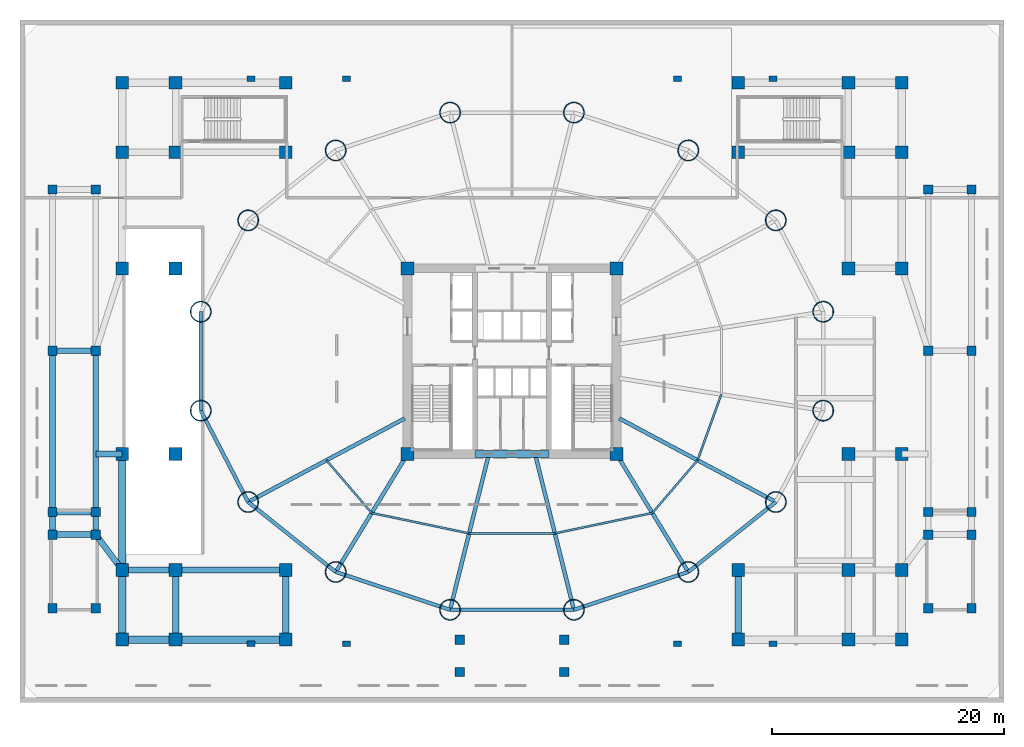
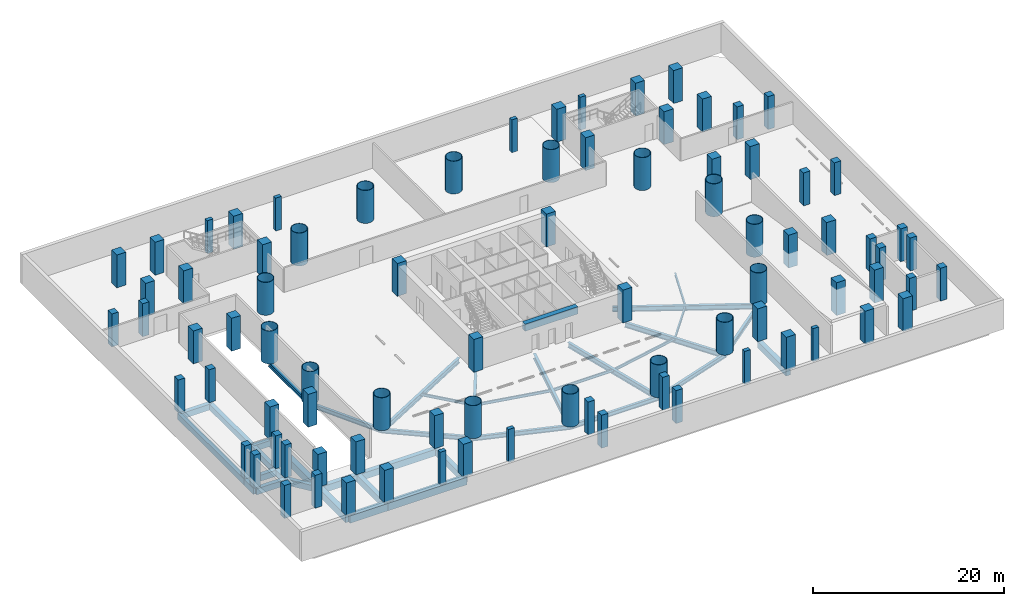
# One storey, part 1 of 11: 84 columns, 38 beams.
"""IFC4 building model written with IfcOpenShell, lengths in metres."""

from ifc_helpers import new_model, si_unit, direction, frame, origin, origin_2d, place, context, subcontext, project, spatial, rectangle, hollow_circle, i_section, extrude, material, material_profile, profile_set, type_object, element, save


model = new_model("IFC4")

# Units and contexts
model_context = context("Model", 3, precision=1e-05, world=origin(), true_north=direction((-0.2419218956, 0.970295726276)))
body_context = subcontext(model_context, "Body", "Model", "MODEL_VIEW")
ifc_project = project(units=[si_unit("LENGTHUNIT", "METRE"), si_unit("AREAUNIT", "SQUARE_METRE"), si_unit("VOLUMEUNIT", "CUBIC_METRE"), si_unit("PLANEANGLEUNIT", "RADIAN"), si_unit("MASSUNIT", "GRAM", prefix="KILO")], contexts=[model_context])

# Site, building, storey
site_placement = place(None, origin())
site = spatial("IfcSite", under=ifc_project, at=site_placement, CompositionType="ELEMENT")
building_placement = place(site_placement, origin())
building = spatial("IfcBuilding", under=site, at=building_placement, Name="Cobrevalo Terracotta Tower", CompositionType="ELEMENT")
storey_placement = place(building_placement, frame((0.0, 0.0, -4.199951171875)))
storey = spatial("IfcBuildingStorey", under=building, at=storey_placement, Name="B01", CompositionType="ELEMENT", Elevation=-4.199951171875)

# Columns
ifc_material_1 = material(Name="Steel S355", Category="steel")
ifc_material_profile_1 = material_profile(ifc_material_1, hollow_circle(Radius=0.89990234375, WallThickness=0.054931640625, at=origin_2d()), Name="CHS 1800x55")
ifc_profile_set_1 = profile_set([ifc_material_profile_1], Name="Steel S355")
column_type_1 = type_object("IfcColumnType", Name="Structural Column CHS 1800x55 (Steel S355)", PredefinedType="COLUMN", material=ifc_profile_set_1)
for number, where, z_axis, x_axis, name in (
    (1, (64.824462890625, 31.062744140625, 0.0), (0.0, 0.0, 1.0), (1.0, 0.0, 0.0), "B01 composite megacolumn MC01"),
    (2, (60.74072265625, 38.939208984375, 0.0), (0.0, 0.0, 1.0), (1.0, 0.0, 0.0), "B01 composite megacolumn MC02"),
    (3, (53.19482421875, 44.967529296875, 0.0), (0.0, 0.0, 1.0), (1.0, 0.0, 0.0), "B01 composite megacolumn MC03"),
    (4, (43.335693359375, 48.230224609375, 0.0), (0.0, 0.0, 1.0), (1.0, 0.0, 0.0), "B01 composite megacolumn MC04"),
    (5, (32.664306640625, 48.230224609375, 0.0), (0.0, 0.0, 1.0), (1.0, 0.0, 0.0), "B01 composite megacolumn MC05"),
    (6, (22.80517578125, 44.967529296875, 0.0), (0.0, 0.0, 1.0), (1.0, 0.0, 0.0), "B01 composite megacolumn MC06"),
    (7, (15.25927734375, 38.939208984375, 0.0), (0.0, 0.0, 1.0), (1.0, 0.0, 0.0), "B01 composite megacolumn MC07"),
    (8, (11.175537109375, 31.062744140625, 0.0), (0.0, 0.0, 1.0), (1.0, 0.0, 0.0), "B01 composite megacolumn MC08"),
    (9, (11.175537109375, 22.537353515625, 0.0), (0.0, 0.0, 1.0), (1.0, 0.0, 0.0), "B01 composite megacolumn MC09"),
    (10, (15.25927734375, 14.660888671875, 0.0), (0.0, 0.0, 1.0), (1.0, 0.0, 0.0), "B01 composite megacolumn MC10"),
    (11, (22.80517578125, 8.63232421875, 0.0), (0.0, 0.0, 1.0), (1.0, 0.0, 0.0), "B01 composite megacolumn MC11"),
    (12, (32.664306640625, 5.369873046875, 0.0), (0.0, 0.0, 1.0), (1.0, 0.0, 0.0), "B01 composite megacolumn MC12"),
    (13, (43.335693359375, 5.369873046875, 0.0), (0.0, 0.0, 1.0), (1.0, 0.0, 0.0), "B01 composite megacolumn MC13"),
    (14, (53.19482421875, 8.63232421875, 0.0), (0.0, 0.0, 1.0), (1.0, 0.0, 0.0), "B01 composite megacolumn MC14"),
    (15, (60.74072265625, 14.660888671875, 0.0), (0.0, 0.0, 1.0), (1.0, 0.0, 0.0), "B01 composite megacolumn MC15"),
    (16, (64.824462890625, 22.537353515625, 0.0), (0.0, 0.0, 1.0), (1.0, 0.0, 0.0), "B01 composite megacolumn MC16"),
):
    element("IfcColumn", number, at=place(storey_placement, frame(where, z_axis=z_axis, x_axis=x_axis)), inside=storey, type_object=column_type_1, Name=name, PredefinedType="COLUMN", context=body_context, shape_type="SweptSolid", body=[
        extrude(hollow_circle(Radius=0.89990234375, WallThickness=0.054931640625, at=origin_2d()), origin(), (0.0, 0.0, 1.0), 4.199951171875),
    ])
ifc_material_2 = material(Name="Concrete C60", Category="concrete")
ifc_material_profile_2 = material_profile(ifc_material_2, rectangle(XDim=1.10009765625, YDim=1.10009765625, at=origin_2d()), Name="RC COL 1100x1100")
ifc_profile_set_2 = profile_set([ifc_material_profile_2], Name="Concrete C60")
column_type_2 = type_object("IfcColumnType", Name="Structural Column RC COL 1100x1100 (Concrete C60)", PredefinedType="COLUMN", material=ifc_profile_set_2)
for number, where, z_axis, x_axis, name in (
    (17, (29.0, 18.800048828125, 0.0), (0.0, 0.0, 1.0), (1.0, 0.0, 0.0), "B01 core corner column CC1"),
    (18, (47.0, 18.800048828125, 0.0), (0.0, 0.0, 1.0), (1.0, 0.0, 0.0), "B01 core corner column CC2"),
    (19, (47.0, 34.800048828125, 0.0), (0.0, 0.0, 1.0), (1.0, 0.0, 0.0), "B01 core corner column CC3"),
    (20, (29.0, 34.800048828125, 0.0), (0.0, 0.0, 1.0), (1.0, 0.0, 0.0), "B01 core corner column CC4"),
    (21, (4.39990234375, 2.800048828125, 0.0), (0.0, 0.0, 1.0), (1.0, 0.0, 0.0), "B01 podium column G1-GA"),
    (22, (4.39990234375, 8.800048828125, 0.0), (0.0, 0.0, 1.0), (1.0, 0.0, 0.0), "B01 podium column G1-GB"),
    (23, (4.39990234375, 18.800048828125, 0.0), (0.0, 0.0, 1.0), (1.0, 0.0, 0.0), "B01 podium column G1-GC"),
    (24, (4.39990234375, 34.800048828125, 0.0), (0.0, 0.0, 1.0), (1.0, 0.0, 0.0), "B01 podium column G1-GE"),
    (25, (4.39990234375, 44.800048828125, 0.0), (0.0, 0.0, 1.0), (1.0, 0.0, 0.0), "B01 podium column G1-GF"),
    (26, (4.39990234375, 50.800048828125, 0.0), (0.0, 0.0, 1.0), (1.0, 0.0, 0.0), "B01 podium column G1-GG"),
    (27, (9.0, 2.800048828125, 0.0), (0.0, 0.0, 1.0), (1.0, 0.0, 0.0), "B01 podium column G2-GA"),
    (28, (9.0, 8.800048828125, 0.0), (0.0, 0.0, 1.0), (1.0, 0.0, 0.0), "B01 podium column G2-GB"),
    (29, (9.0, 18.800048828125, 0.0), (0.0, 0.0, 1.0), (1.0, 0.0, 0.0), "B01 podium column G2-GC"),
    (30, (9.0, 34.800048828125, 0.0), (0.0, 0.0, 1.0), (1.0, 0.0, 0.0), "B01 podium column G2-GE"),
    (31, (9.0, 44.800048828125, 0.0), (0.0, 0.0, 1.0), (1.0, 0.0, 0.0), "B01 podium column G2-GF"),
    (32, (9.0, 50.800048828125, 0.0), (0.0, 0.0, 1.0), (1.0, 0.0, 0.0), "B01 podium column G2-GG"),
    (33, (18.5, 2.800048828125, 0.0), (0.0, 0.0, 1.0), (1.0, 0.0, 0.0), "B01 podium column G3-GA"),
    (34, (18.5, 8.800048828125, 0.0), (0.0, 0.0, 1.0), (1.0, 0.0, 0.0), "B01 podium column G3-GB"),
    (35, (18.5, 44.800048828125, 0.0), (0.0, 0.0, 1.0), (1.0, 0.0, 0.0), "B01 podium column G3-GF"),
    (36, (18.5, 50.800048828125, 0.0), (0.0, 0.0, 1.0), (1.0, 0.0, 0.0), "B01 podium column G3-GG"),
    (37, (57.5, 2.800048828125, 0.0), (0.0, 0.0, 1.0), (1.0, 0.0, 0.0), "B01 podium column G7-GA"),
    (38, (57.5, 8.800048828125, 0.0), (0.0, 0.0, 1.0), (1.0, 0.0, 0.0), "B01 podium column G7-GB"),
    (39, (57.5, 44.800048828125, 0.0), (0.0, 0.0, 1.0), (1.0, 0.0, 0.0), "B01 podium column G7-GF"),
    (40, (57.5, 50.800048828125, 0.0), (0.0, 0.0, 1.0), (1.0, 0.0, 0.0), "B01 podium column G7-GG"),
    (41, (67.0, 2.800048828125, 0.0), (0.0, 0.0, 1.0), (1.0, 0.0, 0.0), "B01 podium column G8-GA"),
    (42, (67.0, 8.800048828125, 0.0), (0.0, 0.0, 1.0), (1.0, 0.0, 0.0), "B01 podium column G8-GB"),
    (43, (67.0, 18.800048828125, 0.0), (0.0, 0.0, 1.0), (1.0, 0.0, 0.0), "B01 podium column G8-GC"),
    (44, (67.0, 34.800048828125, 0.0), (0.0, 0.0, 1.0), (1.0, 0.0, 0.0), "B01 podium column G8-GE"),
    (45, (67.0, 44.800048828125, 0.0), (0.0, 0.0, 1.0), (1.0, 0.0, 0.0), "B01 podium column G8-GF"),
    (46, (67.0, 50.800048828125, 0.0), (0.0, 0.0, 1.0), (1.0, 0.0, 0.0), "B01 podium column G8-GG"),
    (47, (71.60009765625, 2.800048828125, 0.0), (0.0, 0.0, 1.0), (1.0, 0.0, 0.0), "B01 podium column G9-GA"),
    (48, (71.60009765625, 8.800048828125, 0.0), (0.0, 0.0, 1.0), (1.0, 0.0, 0.0), "B01 podium column G9-GB"),
    (49, (71.60009765625, 18.800048828125, 0.0), (0.0, 0.0, 1.0), (1.0, 0.0, 0.0), "B01 podium column G9-GC"),
    (50, (71.60009765625, 34.800048828125, 0.0), (0.0, 0.0, 1.0), (1.0, 0.0, 0.0), "B01 podium column G9-GE"),
    (51, (71.60009765625, 44.800048828125, 0.0), (0.0, 0.0, 1.0), (1.0, 0.0, 0.0), "B01 podium column G9-GF"),
    (52, (71.60009765625, 50.800048828125, 0.0), (0.0, 0.0, 1.0), (1.0, 0.0, 0.0), "B01 podium column G9-GG"),
):
    element("IfcColumn", number, at=place(storey_placement, frame(where, z_axis=z_axis, x_axis=x_axis)), inside=storey, type_object=column_type_2, Name=name, PredefinedType="COLUMN", context=body_context, shape_type="SweptSolid", body=[
        extrude(rectangle(XDim=1.10009765625, YDim=1.10009765625, at=origin_2d()), origin(), (0.0, 0.0, 1.0), 4.199951171875),
    ])
ifc_material_3 = material(Name="Concrete C50", Category="concrete")
ifc_material_profile_3 = material_profile(ifc_material_3, rectangle(XDim=0.800048828125, YDim=0.800048828125, at=origin_2d()), Name="RC COL 800x800")
ifc_profile_set_3 = profile_set([ifc_material_profile_3], Name="Concrete C50")
column_type_3 = type_object("IfcColumnType", Name="Structural Column RC COL 800x800 (Concrete C50)", PredefinedType="COLUMN", material=ifc_profile_set_3)
for number, where, z_axis, x_axis, name in (
    (53, (-1.60009765625, 5.5, 0.0), (0.0, 0.0, 1.0), (1.0, 0.0, 0.0), "B01 garden wing column W11"),
    (54, (2.1201171875, 5.5, 0.0), (0.0, 0.0, 1.0), (1.0, 0.0, 0.0), "B01 garden wing column W21"),
    (55, (-1.60009765625, 11.85009765625, 0.0), (0.0, 0.0, 1.0), (1.0, 0.0, 0.0), "B01 garden wing column W12"),
    (56, (2.1201171875, 11.85009765625, 0.0), (0.0, 0.0, 1.0), (1.0, 0.0, 0.0), "B01 garden wing column W22"),
    (57, (-1.60009765625, 13.800048828125, 0.0), (0.0, 0.0, 1.0), (1.0, 0.0, 0.0), "B01 garden wing column W13"),
    (58, (2.1201171875, 13.800048828125, 0.0), (0.0, 0.0, 1.0), (1.0, 0.0, 0.0), "B01 garden wing column W23"),
    (59, (-1.60009765625, 27.699951171875, 0.0), (0.0, 0.0, 1.0), (1.0, 0.0, 0.0), "B01 garden wing column W14"),
    (60, (2.1201171875, 27.699951171875, 0.0), (0.0, 0.0, 1.0), (1.0, 0.0, 0.0), "B01 garden wing column W24"),
    (61, (-1.60009765625, 41.60009765625, 0.0), (0.0, 0.0, 1.0), (1.0, 0.0, 0.0), "B01 garden wing column W15"),
    (62, (2.1201171875, 41.60009765625, 0.0), (0.0, 0.0, 1.0), (1.0, 0.0, 0.0), "B01 garden wing column W25"),
    (63, (73.8798828125, 5.5, 0.0), (0.0, 0.0, 1.0), (1.0, 0.0, 0.0), "B01 garden wing column E11"),
    (64, (77.60009765625, 5.5, 0.0), (0.0, 0.0, 1.0), (1.0, 0.0, 0.0), "B01 garden wing column E21"),
    (65, (73.8798828125, 11.85009765625, 0.0), (0.0, 0.0, 1.0), (1.0, 0.0, 0.0), "B01 garden wing column E12"),
    (66, (77.60009765625, 11.85009765625, 0.0), (0.0, 0.0, 1.0), (1.0, 0.0, 0.0), "B01 garden wing column E22"),
    (67, (73.8798828125, 13.800048828125, 0.0), (0.0, 0.0, 1.0), (1.0, 0.0, 0.0), "B01 garden wing column E13"),
    (68, (77.60009765625, 13.800048828125, 0.0), (0.0, 0.0, 1.0), (1.0, 0.0, 0.0), "B01 garden wing column E23"),
    (69, (73.8798828125, 27.699951171875, 0.0), (0.0, 0.0, 1.0), (1.0, 0.0, 0.0), "B01 garden wing column E14"),
    (70, (77.60009765625, 27.699951171875, 0.0), (0.0, 0.0, 1.0), (1.0, 0.0, 0.0), "B01 garden wing column E24"),
    (71, (73.8798828125, 41.60009765625, 0.0), (0.0, 0.0, 1.0), (1.0, 0.0, 0.0), "B01 garden wing column E15"),
    (72, (77.60009765625, 41.60009765625, 0.0), (0.0, 0.0, 1.0), (1.0, 0.0, 0.0), "B01 garden wing column E25"),
    (73, (33.5, 0.0, 0.0), (0.0, 0.0, 1.0), (1.0, 0.0, 0.0), "B01 main entrance portal canopy column F1"),
    (74, (33.5, 2.800048828125, 0.0), (0.0, 0.0, 1.0), (1.0, 0.0, 0.0), "B01 main entrance portal canopy column R1"),
    (75, (42.5, 0.0, 0.0), (0.0, 0.0, 1.0), (1.0, 0.0, 0.0), "B01 main entrance portal canopy column F2"),
    (76, (42.5, 2.800048828125, 0.0), (0.0, 0.0, 1.0), (1.0, 0.0, 0.0), "B01 main entrance portal canopy column R2"),
):
    element("IfcColumn", number, at=place(storey_placement, frame(where, z_axis=z_axis, x_axis=x_axis)), inside=storey, type_object=column_type_3, Name=name, PredefinedType="COLUMN", context=body_context, shape_type="SweptSolid", body=[
        extrude(rectangle(XDim=0.800048828125, YDim=0.800048828125, at=origin_2d()), origin(), (0.0, 0.0, 1.0), 4.199951171875),
    ])
ifc_material_profile_4 = material_profile(ifc_material_3, rectangle(XDim=0.699951171875, YDim=0.449951171875, at=origin_2d()), Name="RC PIL 700x450")
ifc_profile_set_4 = profile_set([ifc_material_profile_4], Name="Concrete C50")
column_type_4 = type_object("IfcColumnType", Name="Structural Pilaster RC PIL 700x450 (Concrete C50)", PredefinedType="PILASTER", material=ifc_profile_set_4)
for number, where, z_axis, x_axis, name in (
    (77, (15.5, 2.449951171875, 0.0), (0.0, 0.0, 1.0), (1.0, 0.0, 0.0), "B01 brutalist perimeter pilaster S1"),
    (78, (15.5, 51.14990234375, 0.0), (0.0, 0.0, 1.0), (1.0, 0.0, 0.0), "B01 brutalist perimeter pilaster N1"),
    (79, (23.75, 2.449951171875, 0.0), (0.0, 0.0, 1.0), (1.0, 0.0, 0.0), "B01 brutalist perimeter pilaster S2"),
    (80, (23.75, 51.14990234375, 0.0), (0.0, 0.0, 1.0), (1.0, 0.0, 0.0), "B01 brutalist perimeter pilaster N2"),
    (81, (52.25, 2.449951171875, 0.0), (0.0, 0.0, 1.0), (1.0, 0.0, 0.0), "B01 brutalist perimeter pilaster S3"),
    (82, (52.25, 51.14990234375, 0.0), (0.0, 0.0, 1.0), (1.0, 0.0, 0.0), "B01 brutalist perimeter pilaster N3"),
    (83, (60.5, 2.449951171875, 0.0), (0.0, 0.0, 1.0), (1.0, 0.0, 0.0), "B01 brutalist perimeter pilaster S4"),
    (84, (60.5, 51.14990234375, 0.0), (0.0, 0.0, 1.0), (1.0, 0.0, 0.0), "B01 brutalist perimeter pilaster N4"),
):
    element("IfcColumn", number, at=place(storey_placement, frame(where, z_axis=z_axis, x_axis=x_axis)), inside=storey, type_object=column_type_4, Name=name, PredefinedType="PILASTER", context=body_context, shape_type="SweptSolid", body=[
        extrude(rectangle(XDim=0.699951171875, YDim=0.449951171875, at=origin_2d()), origin(), (0.0, 0.0, 1.0), 4.199951171875),
    ])

# Beams
ifc_material_profile_5 = material_profile(ifc_material_2, rectangle(XDim=0.60009765625, YDim=0.89990234375, at=origin_2d()), Name="RC CB 600x900")
ifc_profile_set_5 = profile_set([ifc_material_profile_5], Name="Concrete C60")
beam_type_1 = type_object("IfcBeamType", Name="Structural Beam RC CB 600x900 (Concrete C60)", PredefinedType="BEAM", material=ifc_profile_set_5)
beam_1_placement = place(storey_placement, frame((34.800048828125, 18.800048828125, 3.329833984375), z_axis=(1.0, 0.0, 0.0), x_axis=(0.0, 1.0, 0.0)))
element("IfcBeam", 85, at=beam_1_placement, inside=storey, type_object=beam_type_1, Name="B01 core coupling beam 1", PredefinedType="BEAM", context=body_context, shape_type="SweptSolid", body=[
    extrude(rectangle(XDim=0.60009765625, YDim=0.89990234375, at=origin_2d()), origin(), (0.0, 0.0, 1.0), 6.39990234375),
])
ifc_material_profile_6 = material_profile(ifc_material_1, i_section(OverallWidth=0.3291015625, OverallDepth=0.635009765625, WebThickness=0.017822265625, FlangeThickness=0.031005859375, at=origin_2d()), Name="W 610x241")
ifc_profile_set_6 = profile_set([ifc_material_profile_6], Name="Steel S355")
beam_type_2 = type_object("IfcBeamType", Name="Structural Beam W 610x241 (Steel S355)", PredefinedType="BEAM", material=ifc_profile_set_6)
beam_2_placement = place(storey_placement, frame((15.25927734375, 14.660888671875, -0.637451171875), z_axis=(0.88218223571, 0.470908168329, 0.0), x_axis=(-0.470908168329, 0.88218223571, 0.0)))
element("IfcBeam", 86, at=beam_2_placement, inside=storey, type_object=beam_type_2, Name="B01 radial floor girder 10", PredefinedType="BEAM", context=body_context, shape_type="SweptSolid", body=[
    extrude(i_section(OverallWidth=0.3291015625, OverallDepth=0.635009765625, WebThickness=0.017822265625, FlangeThickness=0.031005859375, at=origin_2d()), origin(), (0.0, 0.0, 1.0), 15.286865234375),
])
beam_3_placement = place(storey_placement, frame((22.80517578125, 8.63232421875, -0.637451171875), z_axis=(0.520300780853, 0.853983077961, 0.0), x_axis=(-0.853983077961, 0.520300780853, 0.0)))
element("IfcBeam", 87, at=beam_3_placement, inside=storey, type_object=beam_type_2, Name="B01 radial floor girder 11", PredefinedType="BEAM", context=body_context, shape_type="SweptSolid", body=[
    extrude(i_section(OverallWidth=0.3291015625, OverallDepth=0.635009765625, WebThickness=0.017822265625, FlangeThickness=0.031005859375, at=origin_2d()), origin(), (0.0, 0.0, 1.0), 11.90625),
])
for number, where, z_axis, x_axis, name in (
    (88, (32.664306640625, 5.369873046875, -0.637451171875), (0.241600470374, 0.970375810042, 0.0), (-0.970375810042, 0.241600470374, 0.0), "B01 radial floor girder 12"),
    (89, (43.335693359375, 5.369873046875, -0.637451171875), (-0.241600470374, 0.970375810042, 0.0), (-0.970375810042, -0.241600470374, 0.0), "B01 radial floor girder 13"),
):
    element("IfcBeam", number, at=place(storey_placement, frame(where, z_axis=z_axis, x_axis=x_axis)), inside=storey, type_object=beam_type_2, Name=name, PredefinedType="BEAM", context=body_context, shape_type="SweptSolid", body=[
        extrude(i_section(OverallWidth=0.3291015625, OverallDepth=0.635009765625, WebThickness=0.017822265625, FlangeThickness=0.031005859375, at=origin_2d()), origin(), (0.0, 0.0, 1.0), 13.5771484375),
    ])
beam_4_placement = place(storey_placement, frame((53.19482421875, 8.63232421875, -0.637451171875), z_axis=(-0.520300780853, 0.853983077961, 0.0), x_axis=(-0.853983077961, -0.520300780853, 0.0)))
element("IfcBeam", 90, at=beam_4_placement, inside=storey, type_object=beam_type_2, Name="B01 radial floor girder 14", PredefinedType="BEAM", context=body_context, shape_type="SweptSolid", body=[
    extrude(i_section(OverallWidth=0.3291015625, OverallDepth=0.635009765625, WebThickness=0.017822265625, FlangeThickness=0.031005859375, at=origin_2d()), origin(), (0.0, 0.0, 1.0), 11.90625),
])
beam_5_placement = place(storey_placement, frame((60.74072265625, 14.660888671875, -0.637451171875), z_axis=(-0.88218223571, 0.470908168329, 0.0), x_axis=(-0.470908168329, -0.88218223571, 0.0)))
element("IfcBeam", 91, at=beam_5_placement, inside=storey, type_object=beam_type_2, Name="B01 radial floor girder 15", PredefinedType="BEAM", context=body_context, shape_type="SweptSolid", body=[
    extrude(i_section(OverallWidth=0.3291015625, OverallDepth=0.635009765625, WebThickness=0.017822265625, FlangeThickness=0.031005859375, at=origin_2d()), origin(), (0.0, 0.0, 1.0), 15.286865234375),
])
ifc_material_profile_7 = material_profile(ifc_material_1, i_section(OverallWidth=0.1708984375, OverallDepth=0.35498046875, WebThickness=0.007080078125, FlangeThickness=0.01171875, at=origin_2d()), Name="W 360x51")
ifc_profile_set_7 = profile_set([ifc_material_profile_7], Name="Steel S355")
beam_type_3 = type_object("IfcBeamType", Name="Structural Joist W 360x51 (Steel S355)", PredefinedType="JOIST", material=ifc_profile_set_7)
beam_6_placement = place(storey_placement, frame((22.002197265625, 18.26025390625, -0.49755859375), z_axis=(0.651328404454, -0.758795960421, 0.0), x_axis=(0.758795960421, 0.651328404454, 0.0)))
element("IfcBeam", 92, at=beam_6_placement, inside=storey, type_object=beam_type_3, Name="B01 circumferential secondary floor joist 10", PredefinedType="JOIST", context=body_context, shape_type="SweptSolid", body=[
    extrude(i_section(OverallWidth=0.1708984375, OverallDepth=0.35498046875, WebThickness=0.007080078125, FlangeThickness=0.01171875, at=origin_2d()), origin(), (0.0, 0.0, 1.0), 5.98828125),
])
beam_7_placement = place(storey_placement, frame((25.902587890625, 13.71630859375, -0.49755859375), z_axis=(0.978784523904, -0.204892302848, 0.0), x_axis=(0.204892302848, 0.978784523904, 0.0)))
element("IfcBeam", 93, at=beam_7_placement, inside=storey, type_object=beam_type_3, Name="B01 circumferential secondary floor joist 11", PredefinedType="JOIST", context=body_context, shape_type="SweptSolid", body=[
    extrude(i_section(OverallWidth=0.1708984375, OverallDepth=0.35498046875, WebThickness=0.007080078125, FlangeThickness=0.01171875, at=origin_2d()), origin(), (0.0, 0.0, 1.0), 8.583984375),
])
beam_8_placement = place(storey_placement, frame((34.304443359375, 11.95751953125, -0.49755859375), z_axis=(1.0, 0.0, 0.0), x_axis=(0.0, 1.0, 0.0)))
element("IfcBeam", 94, at=beam_8_placement, inside=storey, type_object=beam_type_3, Name="B01 circumferential secondary floor joist 12", PredefinedType="JOIST", context=body_context, shape_type="SweptSolid", body=[
    extrude(i_section(OverallWidth=0.1708984375, OverallDepth=0.35498046875, WebThickness=0.007080078125, FlangeThickness=0.01171875, at=origin_2d()), origin(), (0.0, 0.0, 1.0), 7.39111328125),
])
beam_9_placement = place(storey_placement, frame((41.695556640625, 11.95751953125, -0.49755859375), z_axis=(0.978784523904, 0.204892302848, 0.0), x_axis=(-0.204892302848, 0.978784523904, 0.0)))
element("IfcBeam", 95, at=beam_9_placement, inside=storey, type_object=beam_type_3, Name="B01 circumferential secondary floor joist 13", PredefinedType="JOIST", context=body_context, shape_type="SweptSolid", body=[
    extrude(i_section(OverallWidth=0.1708984375, OverallDepth=0.35498046875, WebThickness=0.007080078125, FlangeThickness=0.01171875, at=origin_2d()), origin(), (0.0, 0.0, 1.0), 8.583984375),
])
beam_10_placement = place(storey_placement, frame((50.097412109375, 13.71630859375, -0.49755859375), z_axis=(0.651328404454, 0.758795960421, 0.0), x_axis=(-0.758795960421, 0.651328404454, 0.0)))
element("IfcBeam", 96, at=beam_10_placement, inside=storey, type_object=beam_type_3, Name="B01 circumferential secondary floor joist 14", PredefinedType="JOIST", context=body_context, shape_type="SweptSolid", body=[
    extrude(i_section(OverallWidth=0.1708984375, OverallDepth=0.35498046875, WebThickness=0.007080078125, FlangeThickness=0.01171875, at=origin_2d()), origin(), (0.0, 0.0, 1.0), 5.98828125),
])
beam_11_placement = place(storey_placement, frame((53.997802734375, 18.26025390625, -0.49755859375), z_axis=(0.338672151116, 0.940904444701, 0.0), x_axis=(-0.940904444701, 0.338672151116, 0.0)))
element("IfcBeam", 97, at=beam_11_placement, inside=storey, type_object=beam_type_3, Name="B01 circumferential secondary floor joist 15", PredefinedType="JOIST", context=body_context, shape_type="SweptSolid", body=[
    extrude(i_section(OverallWidth=0.1708984375, OverallDepth=0.35498046875, WebThickness=0.007080078125, FlangeThickness=0.01171875, at=origin_2d()), origin(), (0.0, 0.0, 1.0), 6.029296875),
])
ifc_material_profile_8 = material_profile(ifc_material_3, rectangle(XDim=0.64990234375, YDim=0.949951171875, at=origin_2d()), Name="RC BM 650x950")
ifc_profile_set_8 = profile_set([ifc_material_profile_8], Name="Concrete C50")
beam_type_4 = type_object("IfcBeamType", Name="Structural Spandrel RC BM 650x950 (Concrete C50)", PredefinedType="SPANDREL", material=ifc_profile_set_8)
beam_12_placement = place(storey_placement, frame((4.39990234375, 2.800048828125, -0.795166015625), z_axis=(0.0, 1.0, 0.0), x_axis=(-1.0, 0.0, 0.0)))
element("IfcBeam", 98, at=beam_12_placement, inside=storey, type_object=beam_type_4, Name="B01 podium grid beam G1-GA to G1-GB", PredefinedType="SPANDREL", context=body_context, shape_type="SweptSolid", body=[
    extrude(rectangle(XDim=0.64990234375, YDim=0.949951171875, at=origin_2d()), origin(), (0.0, 0.0, 1.0), 6.0),
])
beam_13_placement = place(storey_placement, frame((4.39990234375, 2.800048828125, -0.795166015625), z_axis=(1.0, 0.0, 0.0), x_axis=(0.0, 1.0, 0.0)))
element("IfcBeam", 99, at=beam_13_placement, inside=storey, type_object=beam_type_4, Name="B01 podium grid beam G1-GA to G2-GA", PredefinedType="SPANDREL", context=body_context, shape_type="SweptSolid", body=[
    extrude(rectangle(XDim=0.64990234375, YDim=0.949951171875, at=origin_2d()), origin(), (0.0, 0.0, 1.0), 4.60009765625),
])
beam_14_placement = place(storey_placement, frame((4.39990234375, 8.800048828125, -0.795166015625), z_axis=(0.0, 1.0, 0.0), x_axis=(-1.0, 0.0, 0.0)))
element("IfcBeam", 100, at=beam_14_placement, inside=storey, type_object=beam_type_4, Name="B01 podium grid beam G1-GB to G1-GC", PredefinedType="SPANDREL", context=body_context, shape_type="SweptSolid", body=[
    extrude(rectangle(XDim=0.64990234375, YDim=0.949951171875, at=origin_2d()), origin(), (0.0, 0.0, 1.0), 10.0),
])
beam_15_placement = place(storey_placement, frame((9.0, 2.800048828125, -0.795166015625), z_axis=(1.0, 0.0, 0.0), x_axis=(0.0, 1.0, 0.0)))
element("IfcBeam", 101, at=beam_15_placement, inside=storey, type_object=beam_type_4, Name="B01 podium grid beam G2-GA to G3-GA", PredefinedType="SPANDREL", context=body_context, shape_type="SweptSolid", body=[
    extrude(rectangle(XDim=0.64990234375, YDim=0.949951171875, at=origin_2d()), origin(), (0.0, 0.0, 1.0), 9.5),
])
ifc_material_profile_9 = material_profile(ifc_material_1, i_section(OverallWidth=0.31201171875, OverallDepth=0.54296875, WebThickness=0.0126953125, FlangeThickness=0.020263671875, at=origin_2d()), Name="W 530x150")
ifc_profile_set_9 = profile_set([ifc_material_profile_9], Name="Steel S355")
beam_type_5 = type_object("IfcBeamType", Name="Structural Spandrel W 530x150 (Steel S355)", PredefinedType="SPANDREL", material=ifc_profile_set_9)
beam_16_placement = place(storey_placement, frame((11.175537109375, 31.062744140625, -0.591552734375), z_axis=(0.0, -1.0, 0.0), x_axis=(1.0, 0.0, 0.0)))
element("IfcBeam", 102, at=beam_16_placement, inside=storey, type_object=beam_type_5, Name="B01 perimeter ring spandrel 08", PredefinedType="SPANDREL", context=body_context, shape_type="SweptSolid", body=[
    extrude(i_section(OverallWidth=0.31201171875, OverallDepth=0.54296875, WebThickness=0.0126953125, FlangeThickness=0.020263671875, at=origin_2d()), origin(), (0.0, 0.0, 1.0), 8.525390625),
])
beam_17_placement = place(storey_placement, frame((11.175537109375, 22.537353515625, -0.591552734375), z_axis=(0.460285838799, -0.88777077368, 0.0), x_axis=(0.88777077368, 0.460285838799, 0.0)))
element("IfcBeam", 103, at=beam_17_placement, inside=storey, type_object=beam_type_5, Name="B01 perimeter ring spandrel 09", PredefinedType="SPANDREL", context=body_context, shape_type="SweptSolid", body=[
    extrude(i_section(OverallWidth=0.31201171875, OverallDepth=0.54296875, WebThickness=0.0126953125, FlangeThickness=0.020263671875, at=origin_2d()), origin(), (0.0, 0.0, 1.0), 8.8720703125),
])
beam_18_placement = place(storey_placement, frame((15.25927734375, 14.660888671875, -0.591552734375), z_axis=(0.781280479891, -0.62418011162, 0.0), x_axis=(0.62418011162, 0.781280479891, 0.0)))
element("IfcBeam", 104, at=beam_18_placement, inside=storey, type_object=beam_type_5, Name="B01 perimeter ring spandrel 10", PredefinedType="SPANDREL", context=body_context, shape_type="SweptSolid", body=[
    extrude(i_section(OverallWidth=0.31201171875, OverallDepth=0.54296875, WebThickness=0.0126953125, FlangeThickness=0.020263671875, at=origin_2d()), origin(), (0.0, 0.0, 1.0), 9.658447265625),
])
beam_19_placement = place(storey_placement, frame((22.80517578125, 8.63232421875, -0.591552734375), z_axis=(0.949372202648, -0.314153498848, 0.0), x_axis=(0.314153498848, 0.949372202648, 0.0)))
element("IfcBeam", 105, at=beam_19_placement, inside=storey, type_object=beam_type_5, Name="B01 perimeter ring spandrel 11", PredefinedType="SPANDREL", context=body_context, shape_type="SweptSolid", body=[
    extrude(i_section(OverallWidth=0.31201171875, OverallDepth=0.54296875, WebThickness=0.0126953125, FlangeThickness=0.020263671875, at=origin_2d()), origin(), (0.0, 0.0, 1.0), 10.385009765625),
])
beam_20_placement = place(storey_placement, frame((32.664306640625, 5.369873046875, -0.591552734375), z_axis=(1.0, 0.0, 0.0), x_axis=(0.0, 1.0, 0.0)))
element("IfcBeam", 106, at=beam_20_placement, inside=storey, type_object=beam_type_5, Name="B01 perimeter ring spandrel 12", PredefinedType="SPANDREL", context=body_context, shape_type="SweptSolid", body=[
    extrude(i_section(OverallWidth=0.31201171875, OverallDepth=0.54296875, WebThickness=0.0126953125, FlangeThickness=0.020263671875, at=origin_2d()), origin(), (0.0, 0.0, 1.0), 10.67138671875),
])
beam_21_placement = place(storey_placement, frame((43.335693359375, 5.369873046875, -0.591552734375), z_axis=(0.949372202648, 0.314153498848, 0.0), x_axis=(-0.314153498848, 0.949372202648, 0.0)))
element("IfcBeam", 107, at=beam_21_placement, inside=storey, type_object=beam_type_5, Name="B01 perimeter ring spandrel 13", PredefinedType="SPANDREL", context=body_context, shape_type="SweptSolid", body=[
    extrude(i_section(OverallWidth=0.31201171875, OverallDepth=0.54296875, WebThickness=0.0126953125, FlangeThickness=0.020263671875, at=origin_2d()), origin(), (0.0, 0.0, 1.0), 10.385009765625),
])
beam_22_placement = place(storey_placement, frame((53.19482421875, 8.63232421875, -0.591552734375), z_axis=(0.781280479891, 0.62418011162, 0.0), x_axis=(-0.62418011162, 0.781280479891, 0.0)))
element("IfcBeam", 108, at=beam_22_placement, inside=storey, type_object=beam_type_5, Name="B01 perimeter ring spandrel 14", PredefinedType="SPANDREL", context=body_context, shape_type="SweptSolid", body=[
    extrude(i_section(OverallWidth=0.31201171875, OverallDepth=0.54296875, WebThickness=0.0126953125, FlangeThickness=0.020263671875, at=origin_2d()), origin(), (0.0, 0.0, 1.0), 9.658447265625),
])
ifc_material_profile_10 = material_profile(ifc_material_3, rectangle(XDim=0.5, YDim=0.75, at=origin_2d()), Name="RC BM 500x750")
ifc_profile_set_10 = profile_set([ifc_material_profile_10], Name="Concrete C50")
beam_type_6 = type_object("IfcBeamType", Name="Structural T Beam RC BM 500x750 (Concrete C50)", PredefinedType="T_BEAM", material=ifc_profile_set_10)
for number, where, z_axis, x_axis, name in (
    (109, (-1.60009765625, 11.85009765625, -0.695068359375), (0.0, 1.0, 0.0), (-1.0, 0.0, 0.0), "B01 garden stair landing side beam W1"),
    (110, (2.1201171875, 11.85009765625, -0.695068359375), (0.0, 1.0, 0.0), (-1.0, 0.0, 0.0), "B01 garden stair landing side beam W2"),
):
    element("IfcBeam", number, at=place(storey_placement, frame(where, z_axis=z_axis, x_axis=x_axis)), inside=storey, type_object=beam_type_6, Name=name, PredefinedType="T_BEAM", context=body_context, shape_type="SweptSolid", body=[
        extrude(rectangle(XDim=0.5, YDim=0.75, at=origin_2d()), origin(), (0.0, 0.0, 1.0), 1.949951171875),
    ])
for number, where, z_axis, x_axis, name in (
    (111, (-1.60009765625, 11.85009765625, -0.695068359375), (1.0, 0.0, 0.0), (0.0, 1.0, 0.0), "B01 garden stair shaft header beam WS"),
    (112, (-1.60009765625, 13.800048828125, -0.695068359375), (1.0, 0.0, 0.0), (0.0, 1.0, 0.0), "B01 garden stair shaft header beam WN"),
):
    element("IfcBeam", number, at=place(storey_placement, frame(where, z_axis=z_axis, x_axis=x_axis)), inside=storey, type_object=beam_type_6, Name=name, PredefinedType="T_BEAM", context=body_context, shape_type="SweptSolid", body=[
        extrude(rectangle(XDim=0.5, YDim=0.75, at=origin_2d()), origin(), (0.0, 0.0, 1.0), 3.72021484375),
    ])
beam_23_placement = place(storey_placement, frame((2.1201171875, 11.85009765625, -0.695068359375), z_axis=(0.59869640819, -0.800976036359, 0.0), x_axis=(0.800976036359, 0.59869640819, 0.0)))
element("IfcBeam", 113, at=beam_23_placement, inside=storey, type_object=beam_type_6, Name="B01 garden stair frame tie beam W1", PredefinedType="T_BEAM", context=body_context, shape_type="SweptSolid", body=[
    extrude(rectangle(XDim=0.5, YDim=0.75, at=origin_2d()), origin(), (0.0, 0.0, 1.0), 3.807861328125),
])
for number, where, z_axis, x_axis, name in (
    (114, (-1.60009765625, 13.800048828125, -0.695068359375), (0.0, 1.0, 0.0), (-1.0, 0.0, 0.0), "B01 garden wing edge beam W1-1"),
    (115, (2.1201171875, 13.800048828125, -0.695068359375), (0.0, 1.0, 0.0), (-1.0, 0.0, 0.0), "B01 garden wing edge beam W2-1"),
):
    element("IfcBeam", number, at=place(storey_placement, frame(where, z_axis=z_axis, x_axis=x_axis)), inside=storey, type_object=beam_type_6, Name=name, PredefinedType="T_BEAM", context=body_context, shape_type="SweptSolid", body=[
        extrude(rectangle(XDim=0.5, YDim=0.75, at=origin_2d()), origin(), (0.0, 0.0, 1.0), 13.89990234375),
    ])
beam_24_placement = place(storey_placement, frame((-1.60009765625, 27.699951171875, -0.695068359375), z_axis=(1.0, 0.0, 0.0), x_axis=(0.0, 1.0, 0.0)))
element("IfcBeam", 116, at=beam_24_placement, inside=storey, type_object=beam_type_6, Name="B01 garden wing cross beam W1", PredefinedType="T_BEAM", context=body_context, shape_type="SweptSolid", body=[
    extrude(rectangle(XDim=0.5, YDim=0.75, at=origin_2d()), origin(), (0.0, 0.0, 1.0), 3.72021484375),
])
beam_25_placement = place(storey_placement, frame((4.39990234375, 18.800048828125, -0.695068359375), z_axis=(-1.0, 0.0, 0.0), x_axis=(0.0, -1.0, 0.0)))
element("IfcBeam", 117, at=beam_25_placement, inside=storey, type_object=beam_type_6, Name="B01 garden deck tie beam W2", PredefinedType="T_BEAM", context=body_context, shape_type="SweptSolid", body=[
    extrude(rectangle(XDim=0.5, YDim=0.75, at=origin_2d()), origin(), (0.0, 0.0, 1.0), 2.27978515625),
])
ifc_material_profile_11 = material_profile(ifc_material_3, rectangle(XDim=0.550048828125, YDim=0.85009765625, at=origin_2d()), Name="RC BM 550x850")
ifc_profile_set_11 = profile_set([ifc_material_profile_11], Name="Concrete C50")
beam_type_7 = type_object("IfcBeamType", Name="Structural T Beam RC BM 550x850 (Concrete C50)", PredefinedType="T_BEAM", material=ifc_profile_set_11)
beam_26_placement = place(storey_placement, frame((4.39990234375, 8.800048828125, -0.7451171875), z_axis=(1.0, 0.0, 0.0), x_axis=(0.0, 1.0, 0.0)))
element("IfcBeam", 118, at=beam_26_placement, inside=storey, type_object=beam_type_7, Name="B01 podium grid beam G1-GB to G2-GB", PredefinedType="T_BEAM", context=body_context, shape_type="SweptSolid", body=[
    extrude(rectangle(XDim=0.550048828125, YDim=0.85009765625, at=origin_2d()), origin(), (0.0, 0.0, 1.0), 4.60009765625),
])
beam_27_placement = place(storey_placement, frame((9.0, 2.800048828125, -0.7451171875), z_axis=(0.0, 1.0, 0.0), x_axis=(-1.0, 0.0, 0.0)))
element("IfcBeam", 119, at=beam_27_placement, inside=storey, type_object=beam_type_7, Name="B01 podium grid beam G2-GA to G2-GB", PredefinedType="T_BEAM", context=body_context, shape_type="SweptSolid", body=[
    extrude(rectangle(XDim=0.550048828125, YDim=0.85009765625, at=origin_2d()), origin(), (0.0, 0.0, 1.0), 6.0),
])
beam_28_placement = place(storey_placement, frame((9.0, 8.800048828125, -0.7451171875), z_axis=(1.0, 0.0, 0.0), x_axis=(0.0, 1.0, 0.0)))
element("IfcBeam", 120, at=beam_28_placement, inside=storey, type_object=beam_type_7, Name="B01 podium grid beam G2-GB to G3-GB", PredefinedType="T_BEAM", context=body_context, shape_type="SweptSolid", body=[
    extrude(rectangle(XDim=0.550048828125, YDim=0.85009765625, at=origin_2d()), origin(), (0.0, 0.0, 1.0), 9.5),
])
for number, where, z_axis, x_axis, name in (
    (121, (18.5, 2.800048828125, -0.7451171875), (0.0, 1.0, 0.0), (-1.0, 0.0, 0.0), "B01 podium grid beam G3-GA to G3-GB"),
    (122, (57.5, 2.800048828125, -0.7451171875), (0.0, 1.0, 0.0), (-1.0, 0.0, 0.0), "B01 podium grid beam G7-GA to G7-GB"),
):
    element("IfcBeam", number, at=place(storey_placement, frame(where, z_axis=z_axis, x_axis=x_axis)), inside=storey, type_object=beam_type_7, Name=name, PredefinedType="T_BEAM", context=body_context, shape_type="SweptSolid", body=[
        extrude(rectangle(XDim=0.550048828125, YDim=0.85009765625, at=origin_2d()), origin(), (0.0, 0.0, 1.0), 6.0),
    ])

save(model, "model.ifc")
